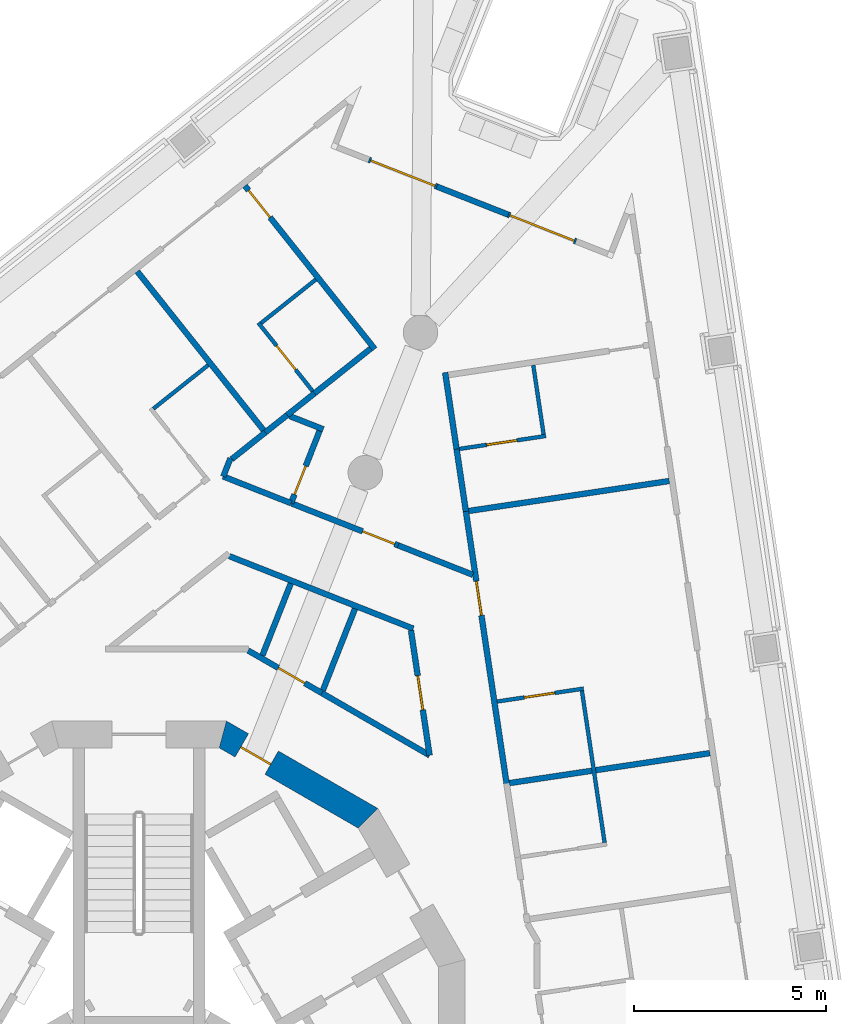
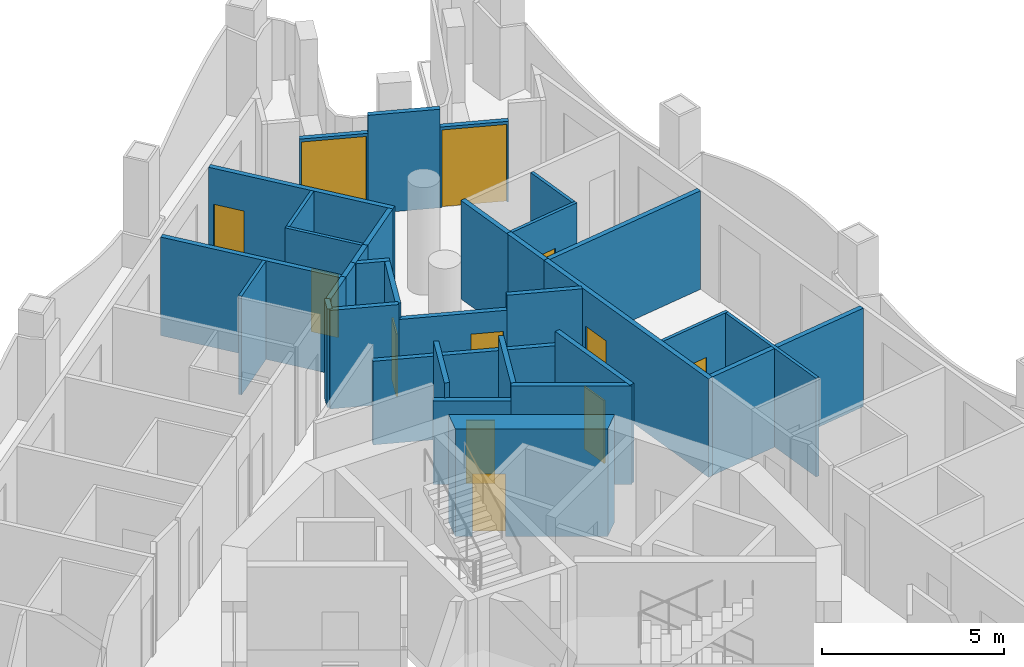
# One storey, part 9 of 17: 34 walls, 12 doors, 12 openings.
"""IFC4 building model written with IfcOpenShell, lengths in metres."""

from ifc_helpers import new_model, si_unit, direction, frame, frame_2d, origin, place, context, subcontext, project, spatial, polyline, rectangle, outline, extrude, material, layer, layer_set, type_object, element, fill, save


model = new_model("IFC4")

# Units and contexts
model_context = context("Model", 3, precision=1e-05, world=origin(), true_north=direction((0.0, 1.0)))
body_context = subcontext(model_context, "Body", "Model", "MODEL_VIEW")
ifc_project = project(units=[si_unit("LENGTHUNIT", "METRE"), si_unit("AREAUNIT", "SQUARE_METRE"), si_unit("VOLUMEUNIT", "CUBIC_METRE"), si_unit("PLANEANGLEUNIT", "RADIAN"), si_unit("MASSUNIT", "GRAM", prefix="KILO")], contexts=[model_context])

# Site, building, storey
site_placement = place(None, origin())
site = spatial("IfcSite", under=ifc_project, at=site_placement, CompositionType="ELEMENT")
building_placement = place(site_placement, origin())
building = spatial("IfcBuilding", under=site, at=building_placement, Name="Trine Commons Tower", CompositionType="ELEMENT")
storey_placement = place(building_placement, frame((0.0, 0.0, 208.800048828125)))
storey = spatial("IfcBuildingStorey", under=building, at=storey_placement, Name="L54", CompositionType="ELEMENT", Elevation=208.800048828125)

# Wall, opening, door
ifc_material_1 = material(Name="Aluminium-framed insulated wall panel", Category="aluminium")
ifc_layer_1 = layer(ifc_material_1, 0.14990234375)
ifc_layer_set_1 = layer_set([ifc_layer_1], Name="Aluminium-framed insulated wall panel")
wall_type_1 = type_object("IfcWallType", Name="Glazed frame wall 150, EI 60", PredefinedType="SOLIDWALL", material=ifc_layer_set_1)
wall_1_placement = place(storey_placement, frame((85.99365234375, 85.628662109375, 0.0), z_axis=(0.0, 0.0, 1.0), x_axis=(0.930387146689, -0.366578446279, 0.0)))
wall_1 = element("IfcWall", 1, at=wall_1_placement, inside=storey, type_object=wall_type_1, Name="Glazed frame wall P1.2", PredefinedType="SOLIDWALL", context=body_context, shape_type="SweptSolid", body=[
    extrude(outline(polyline([(0.0, -0.074951171875), (1.89990234375, -0.074951171875), (1.89990234375, 0.074951171875), (0.0, 0.074951171875), (0.0, -0.074951171875)])), origin(), (0.0, 0.0, 1.0), 2.699951171875),
])
opening_1_placement = place(wall_1_placement, frame((0.050048828125, 0.0, 0.0)))
opening_1 = element("IfcOpeningElement", 2, at=opening_1_placement, cuts=wall_1, Name="Opening BD-6P1-01", PredefinedType="OPENING", context=body_context, shape_type="SweptSolid", body=[
    extrude(rectangle(XDim=1.800048828125, YDim=2.60009765625, at=frame_2d((0.89990234375, 1.300048828125))), frame((0.0, 0.0849609375, 0.0), z_axis=(0.0, -1.0, 0.0), x_axis=(1.0, 0.0, 0.0)), (0.0, 0.0, 1.0), 0.169921875),
])
ifc_material_2 = material(Name="Anodised aluminium frame with double glazing", Category="aluminium")
door_type_1 = type_object("IfcDoorType", Name="Sliding loggia door 1800x2600", OperationType="SLIDING_TO_LEFT", PredefinedType="DOOR", material=ifc_material_2)
door_1_placement = place(opening_1_placement, origin())
door_1 = element("IfcDoor", 3, at=door_1_placement, inside=storey, type_object=door_type_1, Name="Loggia door P1 1", OperationType="SLIDING_TO_LEFT", OverallHeight=2.60009765625, OverallWidth=1.800048828125, PredefinedType="DOOR", context=body_context, shape_type="SweptSolid", body=[
    extrude(rectangle(XDim=1.800048828125, YDim=2.60009765625, at=frame_2d((0.89990234375, 1.300048828125))), frame((0.0, 0.02490234375, 0.0), z_axis=(0.0, -1.0, 0.0), x_axis=(1.0, 0.0, 0.0)), (0.0, 0.0, 1.0), 0.050048828125),
])
fill(opening_1, door_1)

# Wall
wall_2_placement = place(storey_placement, frame((87.761474609375, 84.93212890625, 0.0), z_axis=(0.0, 0.0, 1.0), x_axis=(0.930433620143, -0.366460473323, 0.0)))
element("IfcWall", 4, at=wall_2_placement, inside=storey, type_object=wall_type_1, Name="Glazed frame wall P1.3", PredefinedType="SOLIDWALL", context=body_context, shape_type="SweptSolid", body=[
    extrude(outline(polyline([(0.0, -0.074951171875), (2.0, -0.074951171875), (2.0, 0.074951171875), (0.0, 0.074951171875), (0.0, -0.074951171875)])), origin(), (0.0, 0.0, 1.0), 3.300048828125),
])

# Wall, opening, door
wall_3_placement = place(storey_placement, frame((89.622314453125, 84.19921875, 0.0), z_axis=(0.0, 0.0, 1.0), x_axis=(0.930387146689, -0.366578446279, 0.0)))
wall_3 = element("IfcWall", 5, at=wall_3_placement, inside=storey, type_object=wall_type_1, Name="Glazed frame wall P1.4", PredefinedType="SOLIDWALL", context=body_context, shape_type="SweptSolid", body=[
    extrude(outline(polyline([(0.0, -0.074951171875), (1.89990234375, -0.074951171875), (1.89990234375, 0.074951171875), (0.0, 0.074951171875), (0.0, -0.074951171875)])), origin(), (0.0, 0.0, 1.0), 2.699951171875),
])
opening_2_placement = place(wall_3_placement, frame((0.050048828125, 0.0, 0.0)))
opening_2 = element("IfcOpeningElement", 6, at=opening_2_placement, cuts=wall_3, Name="Opening BD-6P1-02", PredefinedType="OPENING", context=body_context, shape_type="SweptSolid", body=[
    extrude(rectangle(XDim=1.800048828125, YDim=2.60009765625, at=frame_2d((0.89990234375, 1.300048828125))), frame((0.0, 0.0849609375, 0.0), z_axis=(0.0, -1.0, 0.0), x_axis=(1.0, 0.0, 0.0)), (0.0, 0.0, 1.0), 0.169921875),
])
door_2_placement = place(opening_2_placement, origin())
door_2 = element("IfcDoor", 7, at=door_2_placement, inside=storey, type_object=door_type_1, Name="Loggia door P1 2", OperationType="SLIDING_TO_LEFT", OverallHeight=2.60009765625, OverallWidth=1.800048828125, PredefinedType="DOOR", context=body_context, shape_type="SweptSolid", body=[
    extrude(rectangle(XDim=1.800048828125, YDim=2.60009765625, at=frame_2d((0.89990234375, 1.300048828125))), frame((0.0, 0.02490234375, 0.0), z_axis=(0.0, -1.0, 0.0), x_axis=(1.0, 0.0, 0.0)), (0.0, 0.0, 1.0), 0.050048828125),
])
fill(opening_2, door_2)

ifc_material_3 = material(Name="Concrete C60/75", Category="concrete")
ifc_layer_2 = layer(ifc_material_3, 0.699951171875)
ifc_layer_set_2 = layer_set([ifc_layer_2], Name="Concrete C60/75")
wall_type_2 = type_object("IfcWallType", Name="RC shear wall 700 mm, C60/75", PredefinedType="SHEAR", material=ifc_layer_set_2)
wall_4_placement = place(storey_placement, frame((86.047607421875, 68.41943359375, 0.0), z_axis=(0.0, 0.0, 1.0), x_axis=(-0.866034756103, 0.499983800959, 0.0)))
wall_4 = element("IfcWall", 8, at=wall_4_placement, inside=storey, type_object=wall_type_2, Name="Core wall CWF-03 L54", PredefinedType="SHEAR", context=body_context, shape_type="SweptSolid", body=[
    extrude(outline(polyline([(0.0, -0.35009765625), (4.55517578125, -0.35009765625), (4.36767578125, 0.35009765625), (0.1875, 0.35009765625), (0.0, -0.35009765625)])), origin(), (0.0, 0.0, 1.0), 3.599853515625),
])
opening_3_placement = place(wall_4_placement, frame((2.990966796875, 0.0, 0.0)))
opening_3 = element("IfcOpeningElement", 9, at=opening_3_placement, cuts=wall_4, Name="Opening K16.12", PredefinedType="OPENING", context=body_context, shape_type="SweptSolid", body=[
    extrude(rectangle(XDim=0.89990234375, YDim=2.10009765625, at=frame_2d((0.449951171875, 1.050048828125))), frame((0.0, 0.35986328125, 0.0), z_axis=(0.0, -1.0, 0.0), x_axis=(1.0, 0.0, 0.0)), (0.0, 0.0, 1.0), 0.719970703125),
])
ifc_material_4 = material(Name="Steel door leaf, fire-rated", Category="steel")
door_type_2 = type_object("IfcDoorType", Name="Core room door, single leaf 900 x 2100, FD30S", OperationType="SINGLE_SWING_LEFT", PredefinedType="DOOR", material=ifc_material_4)
door_3_placement = place(opening_3_placement, origin())
door_3 = element("IfcDoor", 10, at=door_3_placement, inside=storey, type_object=door_type_2, Name="Door to Core WC L54", OperationType="SINGLE_SWING_RIGHT", OverallHeight=2.10009765625, OverallWidth=0.89990234375, PredefinedType="DOOR", context=body_context, shape_type="SweptSolid", body=[
    extrude(rectangle(XDim=0.89990234375, YDim=2.10009765625, at=frame_2d((0.449951171875, 1.050048828125))), frame((0.0, 0.0751953125, 0.0), z_axis=(0.0, -1.0, 0.0), x_axis=(1.0, 0.0, 0.0)), (0.0, 0.0, 1.0), 0.050048828125),
])
fill(opening_3, door_3)

# Walls
ifc_material_5 = material(Name="Gypsum plasterboard on steel stud", Category="steel")
ifc_layer_3 = layer(ifc_material_5, 0.14990234375)
ifc_layer_set_3 = layer_set([ifc_layer_3], Name="Gypsum plasterboard on steel stud")
wall_type_3 = type_object("IfcWallType", Name="Unit and corridor wall 150 mm, EI 60", PredefinedType="PARTITIONING", material=ifc_layer_set_3)
wall_5_placement = place(storey_placement, frame((79.954833984375, 82.7177734375, 0.0), z_axis=(0.0, 0.0, 1.0), x_axis=(0.622585933561, -0.782551439416, 0.0)))
element("IfcWall", 11, at=wall_5_placement, inside=storey, type_object=wall_type_3, Name="Partition 067", PredefinedType="PARTITIONING", context=body_context, shape_type="SweptSolid", body=[
    extrude(rectangle(XDim=5.28515625, YDim=0.14990234375, at=frame_2d((2.642578125, 0.0))), origin(), (0.0, 0.0, 1.0), 3.300048828125),
])
wall_6_placement = place(storey_placement, frame((82.19189453125, 77.3759765625, 0.0), z_axis=(0.0, 0.0, 1.0), x_axis=(0.93022308185, -0.366994574882, 0.0)))
element("IfcWall", 12, at=wall_6_placement, inside=storey, type_object=wall_type_3, Name="Partition 072", PredefinedType="PARTITIONING", context=body_context, shape_type="SweptSolid", body=[
    extrude(rectangle(XDim=1.9072265625, YDim=0.14990234375, at=frame_2d((0.95361328125, 0.0))), origin(), (0.0, 0.0, 1.0), 3.300048828125),
])
wall_7_placement = place(storey_placement, frame((82.196044921875, 77.3740234375, 0.0), z_axis=(0.0, 0.0, 1.0), x_axis=(0.36499763013, 0.931008447867, 0.0)))
element("IfcWall", 13, at=wall_7_placement, inside=storey, type_object=wall_type_3, Name="Partition 073", PredefinedType="PARTITIONING", context=body_context, shape_type="SweptSolid", body=[
    extrude(rectangle(XDim=0.507568359375, YDim=0.14990234375, at=frame_2d((0.25390625, 0.0))), origin(), (0.0, 0.0, 1.0), 3.300048828125),
])
wall_8_placement = place(storey_placement, frame((82.352783203125, 75.297607421875, 0.0), z_axis=(0.0, 0.0, 1.0), x_axis=(0.930366278921, -0.366631404883, 0.0)))
element("IfcWall", 14, at=wall_8_placement, inside=storey, type_object=wall_type_3, Name="Partition 074", PredefinedType="PARTITIONING", context=body_context, shape_type="SweptSolid", body=[
    extrude(rectangle(XDim=5.15283203125, YDim=0.14990234375, at=frame_2d((2.576416015625, 0.0))), origin(), (0.0, 0.0, 1.0), 2.800048828125),
])
wall_9_placement = place(storey_placement, frame((82.41259765625, 77.82373046875, 0.0), z_axis=(0.0, 0.0, 1.0), x_axis=(0.782730966136, 0.622360212941, 0.0)))
element("IfcWall", 15, at=wall_9_placement, inside=storey, type_object=wall_type_3, Name="Partition 075", PredefinedType="PARTITIONING", context=body_context, shape_type="SweptSolid", body=[
    extrude(rectangle(XDim=1.12353515625, YDim=0.14990234375, at=frame_2d((0.561767578125, 0.0))), origin(), (0.0, 0.0, 1.0), 3.300048828125),
])

# Wall, opening, door
wall_10_placement = place(storey_placement, frame((82.761962890625, 84.94970703125, 0.0), z_axis=(0.0, 0.0, 1.0), x_axis=(0.622457280045, -0.782653776915, 0.0)))
wall_10 = element("IfcWall", 16, at=wall_10_placement, inside=storey, type_object=wall_type_3, Name="Partition 076", PredefinedType="PARTITIONING", context=body_context, shape_type="SweptSolid", body=[
    extrude(rectangle(XDim=5.4345703125, YDim=0.14990234375, at=frame_2d((2.71728515625, 0.0))), origin(), (0.0, 0.0, 1.0), 3.300048828125),
])
opening_4_placement = place(wall_10_placement, frame((0.14990234375, 0.0, 0.0)))
opening_4 = element("IfcOpeningElement", 17, at=opening_4_placement, cuts=wall_10, Name="Opening D-6B12", PredefinedType="OPENING", context=body_context, shape_type="SweptSolid", body=[
    extrude(rectangle(XDim=0.89990234375, YDim=2.10009765625, at=frame_2d((0.449951171875, 1.050048828125))), frame((0.0, 0.0849609375, 0.0), z_axis=(0.0, -1.0, 0.0), x_axis=(1.0, 0.0, 0.0)), (0.0, 0.0, 1.0), 0.169921875),
])
ifc_material_6 = material(Name="Timber fire door set", Category="wood")
door_type_3 = type_object("IfcDoorType", Name="Bedroom door 900 x 2100, FD30S", OperationType="NOTDEFINED", PredefinedType="DOOR", material=ifc_material_6)
door_4_placement = place(opening_4_placement, frame((0.89990234375, 0.0, 0.0), z_axis=(0.0, 0.0, 1.0), x_axis=(-1.0, 0.0, 0.0)))
door_4 = element("IfcDoor", 18, at=door_4_placement, inside=storey, type_object=door_type_3, Name="Door D-6B12", OperationType="SINGLE_SWING_RIGHT", OverallHeight=2.10009765625, OverallWidth=0.89990234375, PredefinedType="DOOR", context=body_context, shape_type="SweptSolid", body=[
    extrude(rectangle(XDim=0.89990234375, YDim=2.10009765625, at=frame_2d((0.449951171875, 1.050048828125))), frame((0.0, 0.02490234375, 0.0), z_axis=(0.0, -1.0, 0.0), x_axis=(1.0, 0.0, 0.0)), (0.0, 0.0, 1.0), 0.050048828125),
])
fill(opening_4, door_4)

wall_11_placement = place(storey_placement, frame((82.844970703125, 72.83740234375, 0.0), z_axis=(0.0, 0.0, 1.0), x_axis=(0.866095831631, -0.499877995546, 0.0)))
wall_11 = element("IfcWall", 19, at=wall_11_placement, inside=storey, type_object=wall_type_3, Name="Partition 077", PredefinedType="PARTITIONING", context=body_context, shape_type="SweptSolid", body=[
    extrude(rectangle(XDim=2.21923828125, YDim=0.14990234375, at=frame_2d((1.109619140625, 0.0))), origin(), (0.0, 0.0, 1.0), 2.800048828125),
])
opening_5_placement = place(wall_11_placement, frame((0.90576171875, 0.0, 0.0)))
opening_5 = element("IfcOpeningElement", 20, at=opening_5_placement, cuts=wall_11, Name="Opening D-6B34", PredefinedType="OPENING", context=body_context, shape_type="SweptSolid", body=[
    extrude(rectangle(XDim=0.800048828125, YDim=2.10009765625, at=frame_2d((0.39990234375, 1.050048828125))), frame((0.0, 0.0849609375, 0.0), z_axis=(0.0, -1.0, 0.0), x_axis=(1.0, 0.0, 0.0)), (0.0, 0.0, 1.0), 0.169921875),
])
ifc_material_7 = material(Name="Painted timber", Category="wood")
door_type_4 = type_object("IfcDoorType", Name="Toilet door 800 x 2100, NOT RATED", OperationType="NOTDEFINED", PredefinedType="DOOR", material=ifc_material_7)
door_5_placement = place(opening_5_placement, origin())
door_5 = element("IfcDoor", 21, at=door_5_placement, inside=storey, type_object=door_type_4, Name="Door D-6B34", OperationType="SINGLE_SWING_RIGHT", OverallHeight=2.10009765625, OverallWidth=0.800048828125, PredefinedType="DOOR", context=body_context, shape_type="SweptSolid", body=[
    extrude(rectangle(XDim=0.800048828125, YDim=2.10009765625, at=frame_2d((0.39990234375, 1.050048828125))), frame((0.0, 0.02490234375, 0.0), z_axis=(0.0, -1.0, 0.0), x_axis=(1.0, 0.0, 0.0)), (0.0, 0.0, 1.0), 0.050048828125),
])
fill(opening_5, door_5)

# Walls
wall_12_placement = place(storey_placement, frame((83.215576171875, 72.709716796875, 0.0), z_axis=(0.0, 0.0, 1.0), x_axis=(0.366603942192, 0.930377100733, 0.0)))
element("IfcWall", 22, at=wall_12_placement, inside=storey, type_object=wall_type_3, Name="Partition 082", PredefinedType="PARTITIONING", context=body_context, shape_type="SweptSolid", body=[
    extrude(rectangle(XDim=2.015869140625, YDim=0.14990234375, at=frame_2d((1.0078125, 0.0))), origin(), (0.0, 0.0, 1.0), 3.300048828125),
])
wall_13_placement = place(storey_placement, frame((83.2919921875, 78.52294921875, 0.0), z_axis=(0.0, 0.0, 1.0), x_axis=(0.782961678727, 0.622069939512, 0.0)))
element("IfcWall", 23, at=wall_13_placement, inside=storey, type_object=wall_type_3, Name="Partition 083", PredefinedType="PARTITIONING", context=body_context, shape_type="SweptSolid", body=[
    extrude(rectangle(XDim=0.726806640625, YDim=0.14990234375, at=frame_2d((0.36328125, 0.0))), origin(), (0.0, 0.0, 1.0), 3.300048828125),
])
wall_14_placement = place(storey_placement, frame((83.861083984375, 78.97509765625, 0.0), z_axis=(0.0, 0.0, 1.0), x_axis=(0.782589200168, 0.622538467712, 0.0)))
element("IfcWall", 24, at=wall_14_placement, inside=storey, type_object=wall_type_3, Name="Partition 084", PredefinedType="PARTITIONING", context=body_context, shape_type="SweptSolid", body=[
    extrude(rectangle(XDim=0.912109375, YDim=0.14990234375, at=frame_2d((0.4560546875, 0.0))), origin(), (0.0, 0.0, 1.0), 3.300048828125),
])
wall_15_placement = place(storey_placement, frame((83.930908203125, 78.947509765625, 0.0), z_axis=(0.0, 0.0, 1.0), x_axis=(0.930564496223, -0.366128008175, 0.0)))
element("IfcWall", 25, at=wall_15_placement, inside=storey, type_object=wall_type_3, Name="Partition 085", PredefinedType="PARTITIONING", context=body_context, shape_type="SweptSolid", body=[
    extrude(rectangle(XDim=0.936767578125, YDim=0.14990234375, at=frame_2d((0.46826171875, 0.0))), origin(), (0.0, 0.0, 1.0), 3.300048828125),
])

# Wall, opening, door
wall_16_placement = place(storey_placement, frame((83.962890625, 76.677978515625, 0.0), z_axis=(0.0, 0.0, 1.0), x_axis=(0.366688940458, 0.9303436037, 0.0)))
wall_16 = element("IfcWall", 26, at=wall_16_placement, inside=storey, type_object=wall_type_3, Name="Partition 086", PredefinedType="PARTITIONING", context=body_context, shape_type="SweptSolid", body=[
    extrude(rectangle(XDim=2.025390625, YDim=0.14990234375, at=frame_2d((1.0126953125, 0.0))), origin(), (0.0, 0.0, 1.0), 3.300048828125),
])
opening_6_placement = place(wall_16_placement, frame((0.24267578125, 0.0, 0.0)))
opening_6 = element("IfcOpeningElement", 27, at=opening_6_placement, cuts=wall_16, Name="Opening D-6B04", PredefinedType="OPENING", context=body_context, shape_type="SweptSolid", body=[
    extrude(rectangle(XDim=0.800048828125, YDim=2.10009765625, at=frame_2d((0.39990234375, 1.050048828125))), frame((0.0, 0.0849609375, 0.0), z_axis=(0.0, -1.0, 0.0), x_axis=(1.0, 0.0, 0.0)), (0.0, 0.0, 1.0), 0.169921875),
])
door_6_placement = place(opening_6_placement, origin())
door_6 = element("IfcDoor", 28, at=door_6_placement, inside=storey, type_object=door_type_4, Name="Door D-6B04", OperationType="SINGLE_SWING_LEFT", OverallHeight=2.10009765625, OverallWidth=0.800048828125, PredefinedType="DOOR", context=body_context, shape_type="SweptSolid", body=[
    extrude(rectangle(XDim=0.800048828125, YDim=2.10009765625, at=frame_2d((0.39990234375, 1.050048828125))), frame((0.0, 0.02490234375, 0.0), z_axis=(0.0, -1.0, 0.0), x_axis=(1.0, 0.0, 0.0)), (0.0, 0.0, 1.0), 0.050048828125),
])
fill(opening_6, door_6)

wall_17_placement = place(storey_placement, frame((83.97705078125, 76.672119140625, 0.0), z_axis=(0.0, 0.0, 1.0), x_axis=(0.930513911047, -0.36625655127, 0.0)))
wall_17 = element("IfcWall", 29, at=wall_17_placement, inside=storey, type_object=wall_type_3, Name="Partition 087", PredefinedType="PARTITIONING", context=body_context, shape_type="SweptSolid", body=[
    extrude(rectangle(XDim=2.987548828125, YDim=0.14990234375, at=frame_2d((1.49365234375, 0.0))), origin(), (0.0, 0.0, 1.0), 2.800048828125),
])
opening_7_placement = place(wall_17_placement, frame((1.987548828125, 0.0, 0.0)))
opening_7 = element("IfcOpeningElement", 30, at=opening_7_placement, cuts=wall_17, Name="Opening D-6B01", PredefinedType="OPENING", context=body_context, shape_type="SweptSolid", body=[
    extrude(rectangle(XDim=0.89990234375, YDim=2.10009765625, at=frame_2d((0.449951171875, 1.050048828125))), frame((0.0, 0.0849609375, 0.0), z_axis=(0.0, -1.0, 0.0), x_axis=(1.0, 0.0, 0.0)), (0.0, 0.0, 1.0), 0.169921875),
])
door_type_5 = type_object("IfcDoorType", Name="Cluster entrance door 900 x 2100, FD30S", OperationType="NOTDEFINED", PredefinedType="DOOR", material=ifc_material_6)
door_7_placement = place(opening_7_placement, origin())
door_7 = element("IfcDoor", 31, at=door_7_placement, inside=storey, type_object=door_type_5, Name="Door D-6B01", OperationType="SINGLE_SWING_RIGHT", OverallHeight=2.10009765625, OverallWidth=0.89990234375, PredefinedType="DOOR", context=body_context, shape_type="SweptSolid", body=[
    extrude(rectangle(XDim=0.89990234375, YDim=2.10009765625, at=frame_2d((0.449951171875, 1.050048828125))), frame((0.0, 0.02490234375, 0.0), z_axis=(0.0, -1.0, 0.0), x_axis=(1.0, 0.0, 0.0)), (0.0, 0.0, 1.0), 0.050048828125),
])
fill(opening_7, door_7)

# Walls
wall_18_placement = place(storey_placement, frame((84.52978515625, 79.5078125, 0.0), z_axis=(0.0, 0.0, 1.0), x_axis=(0.782680939845, 0.622423124894, 0.0)))
element("IfcWall", 32, at=wall_18_placement, inside=storey, type_object=wall_type_3, Name="Partition 088", PredefinedType="PARTITIONING", context=body_context, shape_type="SweptSolid", body=[
    extrude(rectangle(XDim=1.9287109375, YDim=0.14990234375, at=frame_2d((0.96435546875, 0.0))), origin(), (0.0, 0.0, 1.0), 3.300048828125),
])
wall_19_placement = place(storey_placement, frame((84.695068359375, 71.76953125, 0.0), z_axis=(0.0, 0.0, 1.0), x_axis=(0.865931444657, -0.500162706682, 0.0)))
element("IfcWall", 33, at=wall_19_placement, inside=storey, type_object=wall_type_3, Name="Partition 089", PredefinedType="PARTITIONING", context=body_context, shape_type="SweptSolid", body=[
    extrude(rectangle(XDim=3.328125, YDim=0.14990234375, at=frame_2d((1.6640625, 0.0))), origin(), (0.0, 0.0, 1.0), 3.300048828125),
])
wall_20_placement = place(storey_placement, frame((84.79150390625, 71.7998046875, 0.0), z_axis=(0.0, 0.0, 1.0), x_axis=(0.366597370472, 0.930379690214, 0.0)))
element("IfcWall", 34, at=wall_20_placement, inside=storey, type_object=wall_type_3, Name="Partition 090", PredefinedType="PARTITIONING", context=body_context, shape_type="SweptSolid", body=[
    extrude(rectangle(XDim=2.28564453125, YDim=0.14990234375, at=frame_2d((1.142822265625, 0.0))), origin(), (0.0, 0.0, 1.0), 3.300048828125),
])
wall_21_placement = place(storey_placement, frame((86.757080078125, 75.577880859375, 0.0), z_axis=(0.0, 0.0, 1.0), x_axis=(0.930326271928, -0.366732910659, 0.0)))
element("IfcWall", 35, at=wall_21_placement, inside=storey, type_object=wall_type_3, Name="Partition 098", PredefinedType="PARTITIONING", context=body_context, shape_type="SweptSolid", body=[
    extrude(rectangle(XDim=2.089599609375, YDim=0.14990234375, at=frame_2d((1.044921875, 0.0))), origin(), (0.0, 0.0, 1.0), 3.300048828125),
])

# Wall, opening, door
wall_22_placement = place(storey_placement, frame((87.088134765625, 73.36181640625, 0.0), z_axis=(0.0, 0.0, 1.0), x_axis=(0.147629393442, -0.989042750437, 0.0)))
wall_22 = element("IfcWall", 36, at=wall_22_placement, inside=storey, type_object=wall_type_3, Name="Partition 100", PredefinedType="PARTITIONING", context=body_context, shape_type="SweptSolid", body=[
    extrude(rectangle(XDim=3.291015625, YDim=0.14990234375, at=frame_2d((1.6455078125, 0.0))), origin(), (0.0, 0.0, 1.0), 3.300048828125),
])
opening_8_placement = place(wall_22_placement, frame((1.195556640625, 0.0, 0.0)))
opening_8 = element("IfcOpeningElement", 37, at=opening_8_placement, cuts=wall_22, Name="Opening D-6B31", PredefinedType="OPENING", context=body_context, shape_type="SweptSolid", body=[
    extrude(rectangle(XDim=0.89990234375, YDim=2.10009765625, at=frame_2d((0.449951171875, 1.050048828125))), frame((0.0, 0.0849609375, 0.0), z_axis=(0.0, -1.0, 0.0), x_axis=(1.0, 0.0, 0.0)), (0.0, 0.0, 1.0), 0.169921875),
])
door_type_6 = type_object("IfcDoorType", Name="Service door 900 x 2100, FD30S", OperationType="NOTDEFINED", PredefinedType="DOOR", material=ifc_material_6)
door_8_placement = place(opening_8_placement, frame((0.89990234375, 0.0, 0.0), z_axis=(0.0, 0.0, 1.0), x_axis=(-1.0, 0.0, 0.0)))
door_8 = element("IfcDoor", 38, at=door_8_placement, inside=storey, type_object=door_type_6, Name="Door D-6B31", OperationType="SINGLE_SWING_LEFT", OverallHeight=2.10009765625, OverallWidth=0.89990234375, PredefinedType="DOOR", context=body_context, shape_type="SweptSolid", body=[
    extrude(rectangle(XDim=0.89990234375, YDim=2.10009765625, at=frame_2d((0.449951171875, 1.050048828125))), frame((0.0, 0.02490234375, 0.0), z_axis=(0.0, -1.0, 0.0), x_axis=(1.0, 0.0, 0.0)), (0.0, 0.0, 1.0), 0.050048828125),
])
fill(opening_8, door_8)

# Walls
wall_23_placement = place(storey_placement, frame((87.97900390625, 80.084228515625, 0.0), z_axis=(0.0, 0.0, 1.0), x_axis=(0.147880939426, -0.989005170742, 0.0)))
element("IfcWall", 39, at=wall_23_placement, inside=storey, type_object=wall_type_3, Name="Partition 104", PredefinedType="PARTITIONING", context=body_context, shape_type="SweptSolid", body=[
    extrude(rectangle(XDim=2.07861328125, YDim=0.14990234375, at=frame_2d((1.039306640625, 0.0))), origin(), (0.0, 0.0, 1.0), 3.300048828125),
])
wall_24_placement = place(storey_placement, frame((88.278076171875, 78.0859375, 0.0), z_axis=(0.0, 0.0, 1.0), x_axis=(0.147546827558, -0.989055071105, 0.0)))
element("IfcWall", 40, at=wall_24_placement, inside=storey, type_object=wall_type_3, Name="Partition 107", PredefinedType="PARTITIONING", context=body_context, shape_type="SweptSolid", body=[
    extrude(rectangle(XDim=1.639892578125, YDim=0.14990234375, at=frame_2d((0.81982421875, 0.0))), origin(), (0.0, 0.0, 1.0), 3.300048828125),
])

# Wall, opening, door
wall_25_placement = place(storey_placement, frame((88.52001953125, 76.464111328125, 0.0), z_axis=(0.0, 0.0, 1.0), x_axis=(0.147843210757, -0.989010811383, 0.0)))
wall_25 = element("IfcWall", 41, at=wall_25_placement, inside=storey, type_object=wall_type_3, Name="Partition 108", PredefinedType="PARTITIONING", context=body_context, shape_type="SweptSolid", body=[
    extrude(rectangle(XDim=7.2509765625, YDim=0.14990234375, at=frame_2d((3.62548828125, 0.0))), origin(), (0.0, 0.0, 1.0), 3.300048828125),
])
opening_9_placement = place(wall_25_placement, frame((1.843505859375, 0.0, 0.0)))
opening_9 = element("IfcOpeningElement", 42, at=opening_9_placement, cuts=wall_25, Name="Opening D-6B14", PredefinedType="OPENING", context=body_context, shape_type="SweptSolid", body=[
    extrude(rectangle(XDim=0.89990234375, YDim=2.10009765625, at=frame_2d((0.449951171875, 1.050048828125))), frame((0.0, 0.0849609375, 0.0), z_axis=(0.0, -1.0, 0.0), x_axis=(1.0, 0.0, 0.0)), (0.0, 0.0, 1.0), 0.169921875),
])
door_9_placement = place(opening_9_placement, origin())
door_9 = element("IfcDoor", 43, at=door_9_placement, inside=storey, type_object=door_type_3, Name="Door D-6B14", OperationType="SINGLE_SWING_LEFT", OverallHeight=2.10009765625, OverallWidth=0.89990234375, PredefinedType="DOOR", context=body_context, shape_type="SweptSolid", body=[
    extrude(rectangle(XDim=0.89990234375, YDim=2.10009765625, at=frame_2d((0.449951171875, 1.050048828125))), frame((0.0, 0.02490234375, 0.0), z_axis=(0.0, -1.0, 0.0), x_axis=(1.0, 0.0, 0.0)), (0.0, 0.0, 1.0), 0.050048828125),
])
fill(opening_9, door_9)

# Walls
for number, where, z_axis, x_axis, name in (
    (44, (88.59423828125, 76.47509765625, 0.0), (0.0, 0.0, 1.0), (0.989020900083, 0.147775705715, 0.0), "Partition 109"),
    (45, (89.654296875, 69.382080078125, 0.0), (0.0, 0.0, 1.0), (0.989020900083, 0.147775705715, 0.0), "Partition 116"),
):
    element("IfcWall", number, at=place(storey_placement, frame(where, z_axis=z_axis, x_axis=x_axis)), inside=storey, type_object=wall_type_3, Name=name, PredefinedType="PARTITIONING", context=body_context, shape_type="SweptSolid", body=[
        extrude(rectangle(XDim=5.28515625, YDim=0.14990234375, at=frame_2d((2.642578125, 0.0))), origin(), (0.0, 0.0, 1.0), 3.300048828125),
    ])
ifc_layer_4 = layer(ifc_material_5, 0.10009765625)
ifc_layer_set_4 = layer_set([ifc_layer_4], Name="Gypsum plasterboard on steel stud")
wall_type_4 = type_object("IfcWallType", Name="Unit partition 100 mm, no rating", PredefinedType="PARTITIONING", material=ifc_layer_set_4)
wall_26_placement = place(storey_placement, frame((80.373046875, 79.14013671875, 0.0), z_axis=(0.0, 0.0, 1.0), x_axis=(0.782562542096, 0.622571977934, 0.0)))
element("IfcWall", 46, at=wall_26_placement, inside=storey, type_object=wall_type_4, Name="Partition 069", PredefinedType="PARTITIONING", context=body_context, shape_type="SweptSolid", body=[
    extrude(rectangle(XDim=1.824951171875, YDim=0.10009765625, at=frame_2d((0.91259765625, 0.0))), origin(), (0.0, 0.0, 1.0), 3.300048828125),
])

# Wall, opening, door
wall_27_placement = place(storey_placement, frame((83.10986328125, 81.380126953125, 0.0), z_axis=(0.0, 0.0, 1.0), x_axis=(0.622309897633, -0.782770969893, 0.0)))
wall_27 = element("IfcWall", 47, at=wall_27_placement, inside=storey, type_object=wall_type_4, Name="Partition 080", PredefinedType="PARTITIONING", context=body_context, shape_type="SweptSolid", body=[
    extrude(rectangle(XDim=2.274658203125, YDim=0.10009765625, at=frame_2d((1.13720703125, 0.0))), origin(), (0.0, 0.0, 1.0), 3.300048828125),
])
opening_10_placement = place(wall_27_placement, frame((0.76220703125, 0.0, 0.0)))
opening_10 = element("IfcOpeningElement", 48, at=opening_10_placement, cuts=wall_27, Name="Opening D-6B42", PredefinedType="OPENING", context=body_context, shape_type="SweptSolid", body=[
    extrude(rectangle(XDim=0.800048828125, YDim=2.10009765625, at=frame_2d((0.39990234375, 1.050048828125))), frame((0.0, 0.06005859375, 0.0), z_axis=(0.0, -1.0, 0.0), x_axis=(1.0, 0.0, 0.0)), (0.0, 0.0, 1.0), 0.1201171875),
])
door_type_7 = type_object("IfcDoorType", Name="Internal door 800 x 2100, NOT RATED", OperationType="NOTDEFINED", PredefinedType="DOOR", material=ifc_material_7)
door_10_placement = place(opening_10_placement, frame((0.800048828125, 0.0, 0.0), z_axis=(0.0, 0.0, 1.0), x_axis=(-1.0, 0.0, 0.0)))
door_10 = element("IfcDoor", 49, at=door_10_placement, inside=storey, type_object=door_type_7, Name="Door D-6B42", OperationType="SINGLE_SWING_LEFT", OverallHeight=2.10009765625, OverallWidth=0.800048828125, PredefinedType="DOOR", context=body_context, shape_type="SweptSolid", body=[
    extrude(rectangle(XDim=0.800048828125, YDim=2.10009765625, at=frame_2d((0.39990234375, 1.050048828125))), frame((0.0, 0.02490234375, 0.0), z_axis=(0.0, -1.0, 0.0), x_axis=(1.0, 0.0, 0.0)), (0.0, 0.0, 1.0), 0.050048828125),
])
fill(opening_10, door_10)

# Wall
wall_28_placement = place(storey_placement, frame((83.18017578125, 81.3720703125, 0.0), z_axis=(0.0, 0.0, 1.0), x_axis=(0.782562542096, 0.622571977934, 0.0)))
element("IfcWall", 50, at=wall_28_placement, inside=storey, type_object=wall_type_4, Name="Partition 081", PredefinedType="PARTITIONING", context=body_context, shape_type="SweptSolid", body=[
    extrude(rectangle(XDim=1.824951171875, YDim=0.10009765625, at=frame_2d((0.91259765625, 0.0))), origin(), (0.0, 0.0, 1.0), 3.300048828125),
])

# Wall, opening, door
wall_29_placement = place(storey_placement, frame((88.352294921875, 78.093017578125, 0.0), z_axis=(0.0, 0.0, 1.0), x_axis=(0.989007860101, 0.147862952286, 0.0)))
wall_29 = element("IfcWall", 51, at=wall_29_placement, inside=storey, type_object=wall_type_4, Name="Partition 106", PredefinedType="PARTITIONING", context=body_context, shape_type="SweptSolid", body=[
    extrude(rectangle(XDim=2.275146484375, YDim=0.10009765625, at=frame_2d((1.1376953125, 0.0))), origin(), (0.0, 0.0, 1.0), 3.300048828125),
])
opening_11_placement = place(wall_29_placement, frame((0.712646484375, 0.0, 0.0)))
opening_11 = element("IfcOpeningElement", 52, at=opening_11_placement, cuts=wall_29, Name="Opening D-6B43", PredefinedType="OPENING", context=body_context, shape_type="SweptSolid", body=[
    extrude(rectangle(XDim=0.800048828125, YDim=2.10009765625, at=frame_2d((0.39990234375, 1.050048828125))), frame((0.0, 0.06005859375, 0.0), z_axis=(0.0, -1.0, 0.0), x_axis=(1.0, 0.0, 0.0)), (0.0, 0.0, 1.0), 0.1201171875),
])
door_11_placement = place(opening_11_placement, frame((0.800048828125, 0.0, 0.0), z_axis=(0.0, 0.0, 1.0), x_axis=(-1.0, 0.0, 0.0)))
door_11 = element("IfcDoor", 53, at=door_11_placement, inside=storey, type_object=door_type_7, Name="Door D-6B43", OperationType="SINGLE_SWING_RIGHT", OverallHeight=2.10009765625, OverallWidth=0.800048828125, PredefinedType="DOOR", context=body_context, shape_type="SweptSolid", body=[
    extrude(rectangle(XDim=0.800048828125, YDim=2.10009765625, at=frame_2d((0.39990234375, 1.050048828125))), frame((0.0, 0.02490234375, 0.0), z_axis=(0.0, -1.0, 0.0), x_axis=(1.0, 0.0, 0.0)), (0.0, 0.0, 1.0), 0.050048828125),
])
fill(opening_11, door_11)

wall_30_placement = place(storey_placement, frame((89.336181640625, 71.508056640625, 0.0), z_axis=(0.0, 0.0, 1.0), x_axis=(0.989007860101, 0.147862952286, 0.0)))
wall_30 = element("IfcWall", 54, at=wall_30_placement, inside=storey, type_object=wall_type_4, Name="Partition 114", PredefinedType="PARTITIONING", context=body_context, shape_type="SweptSolid", body=[
    extrude(rectangle(XDim=2.275146484375, YDim=0.10009765625, at=frame_2d((1.1376953125, 0.0))), origin(), (0.0, 0.0, 1.0), 3.300048828125),
])
opening_12_placement = place(wall_30_placement, frame((0.712646484375, 0.0, 0.0)))
opening_12 = element("IfcOpeningElement", 55, at=opening_12_placement, cuts=wall_30, Name="Opening D-6B44", PredefinedType="OPENING", context=body_context, shape_type="SweptSolid", body=[
    extrude(rectangle(XDim=0.800048828125, YDim=2.10009765625, at=frame_2d((0.39990234375, 1.050048828125))), frame((0.0, 0.06005859375, 0.0), z_axis=(0.0, -1.0, 0.0), x_axis=(1.0, 0.0, 0.0)), (0.0, 0.0, 1.0), 0.1201171875),
])
door_12_placement = place(opening_12_placement, origin())
door_12 = element("IfcDoor", 56, at=door_12_placement, inside=storey, type_object=door_type_7, Name="Door D-6B44", OperationType="SINGLE_SWING_LEFT", OverallHeight=2.10009765625, OverallWidth=0.800048828125, PredefinedType="DOOR", context=body_context, shape_type="SweptSolid", body=[
    extrude(rectangle(XDim=0.800048828125, YDim=2.10009765625, at=frame_2d((0.39990234375, 1.050048828125))), frame((0.0, 0.02490234375, 0.0), z_axis=(0.0, -1.0, 0.0), x_axis=(1.0, 0.0, 0.0)), (0.0, 0.0, 1.0), 0.050048828125),
])
fill(opening_12, door_12)

# Walls
wall_31_placement = place(storey_placement, frame((90.276123046875, 80.27587890625, 0.0), z_axis=(0.0, 0.0, 1.0), x_axis=(0.14773187693, -0.989027447819, 0.0)))
element("IfcWall", 57, at=wall_31_placement, inside=storey, type_object=wall_type_4, Name="Partition 122", PredefinedType="PARTITIONING", context=body_context, shape_type="SweptSolid", body=[
    extrude(rectangle(XDim=1.824462890625, YDim=0.10009765625, at=frame_2d((0.912109375, 0.0))), origin(), (0.0, 0.0, 1.0), 3.300048828125),
])
wall_32_placement = place(storey_placement, frame((91.54443359375, 71.78759765625, 0.0), z_axis=(0.0, 0.0, 1.0), x_axis=(0.147767379107, -0.989022144177, 0.0)))
element("IfcWall", 58, at=wall_32_placement, inside=storey, type_object=wall_type_4, Name="Partition 132", PredefinedType="PARTITIONING", context=body_context, shape_type="SweptSolid", body=[
    extrude(rectangle(XDim=4.0, YDim=0.10009765625, at=frame_2d((2.0, 0.0))), origin(), (0.0, 0.0, 1.0), 3.300048828125),
])

save(model, "model.ifc")
